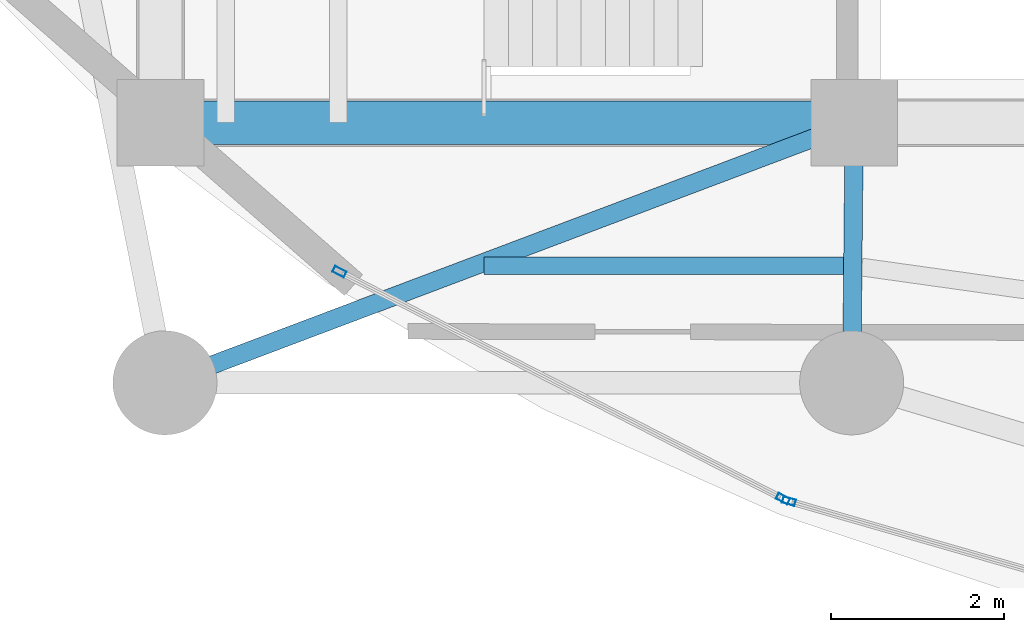
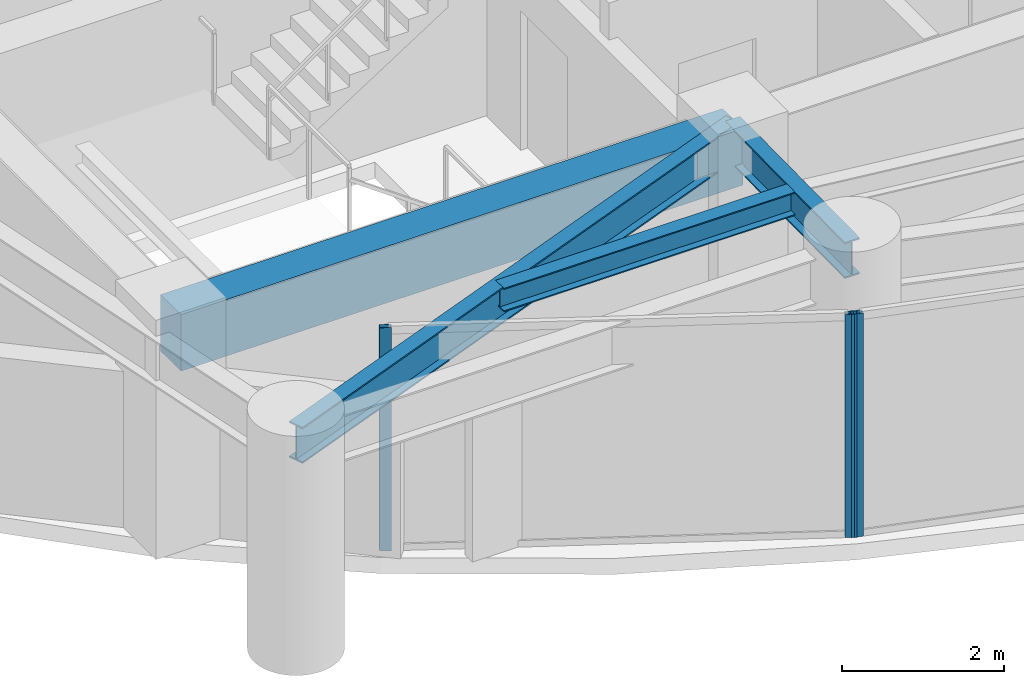
# One storey, part 2 of 30: 4 beams, 3 members, 2 elements without a shape of their own.
"""IFC4 building model written with IfcOpenShell, lengths in metres."""

from ifc_helpers import new_model, si_unit, direction, frame, origin, origin_2d, place, context, subcontext, project, spatial, rectangle, hollow_rectangle, i_section, extrude, material, layer, layer_set, material_profile, profile_set, type_object, element, aggregate, save


model = new_model("IFC4")

# Units and contexts
model_context = context("Model", 3, precision=1e-05, world=origin(), true_north=direction((0.0, 1.0)))
body_context = subcontext(model_context, "Body", "Model", "MODEL_VIEW")
ifc_project = project(units=[si_unit("LENGTHUNIT", "METRE"), si_unit("AREAUNIT", "SQUARE_METRE"), si_unit("VOLUMEUNIT", "CUBIC_METRE"), si_unit("PLANEANGLEUNIT", "RADIAN"), si_unit("MASSUNIT", "GRAM", prefix="KILO")], contexts=[model_context])

# Site, building, storey
site_placement = place(None, origin())
site = spatial("IfcSite", under=ifc_project, at=site_placement, CompositionType="ELEMENT")
building_placement = place(site_placement, origin())
building = spatial("IfcBuilding", under=site, at=building_placement, Name="Kazevale Care Tower and Concert Hall", CompositionType="ELEMENT")
storey_placement = place(building_placement, frame((0.0, 0.0, 131.39990234375)))
storey = spatial("IfcBuildingStorey", under=building, at=storey_placement, Name="L34", CompositionType="ELEMENT", Elevation=131.39990234375)

# Curtain wall, member
ifc_material_1 = material(Name="Aluminium 6063-T6 and Low-E Glass", Category="aluminium")
ifc_layer = layer(ifc_material_1, 0.179931640625)
ifc_layer_set = layer_set([ifc_layer], Name="Aluminium 6063-T6 and Low-E Glass")
curtain_wall_type = type_object("IfcCurtainWallType", Name="Sheltered Concave Balcony Curtain Wall CW-5", PredefinedType="NOTDEFINED", material=ifc_layer_set)
curtain_wall_1_placement = place(storey_placement, origin())
curtain_wall_1 = element("IfcCurtainWall", 1, at=curtain_wall_1_placement, inside=storey, type_object=curtain_wall_type, Name="cw:L34:f08", PredefinedType="NOTDEFINED")
ifc_material_2 = material(Name="Aluminium 6063-T6", Category="aluminium")
ifc_material_profile_1 = material_profile(ifc_material_2, hollow_rectangle(XDim=0.074951171875, YDim=0.14990234375, WallThickness=0.00390625, at=origin_2d()), Name="ALU75x150x4")
ifc_profile_set_1 = profile_set([ifc_material_profile_1], Name="Aluminium 6063-T6")
member_type = type_object("IfcMemberType", Name="CW-5 Mullion ALU75x150x4", PredefinedType="MULLION", material=ifc_profile_set_1)
member_1_placement = place(storey_placement, frame((29.2470703125, 19.234619140625, 0.0), z_axis=(0.0, 0.0, 1.0), x_axis=(-0.276290733172, -0.961074102639, 0.0)))
member_1 = element("IfcMember", 2, at=member_1_placement, type_object=member_type, Name="CW-5 mullion 2", PredefinedType="MULLION", context=body_context, shape_type="SweptSolid", body=[
    extrude(hollow_rectangle(XDim=0.074951171875, YDim=0.14990234375, WallThickness=0.00390625, at=origin_2d()), origin(), (0.0, 0.0, 1.0), 3.360107421875),
])
aggregate(curtain_wall_1, [member_1])

# Curtain wall, members
curtain_wall_2_placement = place(storey_placement, origin())
curtain_wall_2 = element("IfcCurtainWall", 3, at=curtain_wall_2_placement, inside=storey, type_object=curtain_wall_type, Name="cw:L34:f09", PredefinedType="NOTDEFINED")
member_2_placement = place(storey_placement, frame((29.177734375, 19.26220703125, 0.0), z_axis=(0.0, 0.0, 1.0), x_axis=(-0.455713236575, -0.890126646051, 0.0)))
member_2 = element("IfcMember", 4, at=member_2_placement, type_object=member_type, Name="CW-5 mullion 1", PredefinedType="MULLION", context=body_context, shape_type="SweptSolid", body=[
    extrude(hollow_rectangle(XDim=0.074951171875, YDim=0.14990234375, WallThickness=0.00390625, at=origin_2d()), origin(), (0.0, 0.0, 1.0), 3.360107421875),
])
member_3_placement = place(storey_placement, frame((24.0625, 21.880859375, 0.0), z_axis=(0.0, 0.0, 1.0), x_axis=(-0.455713236575, -0.890126646051, 0.0)))
member_3 = element("IfcMember", 5, at=member_3_placement, type_object=member_type, Name="CW-5 mullion 2", PredefinedType="MULLION", context=body_context, shape_type="SweptSolid", body=[
    extrude(hollow_rectangle(XDim=0.074951171875, YDim=0.14990234375, WallThickness=0.00390625, at=origin_2d()), origin(), (0.0, 0.0, 1.0), 3.360107421875),
])
aggregate(curtain_wall_2, [member_2, member_3])

# Beams
ifc_material_3 = material(Name="Concrete C60", Category="concrete")
ifc_material_profile_2 = material_profile(ifc_material_3, rectangle(XDim=0.5, YDim=0.85009765625, at=origin_2d()), Name="RC-B500x850")
ifc_profile_set_2 = profile_set([ifc_material_profile_2], Name="Concrete C60")
beam_type_1 = type_object("IfcBeamType", Name="Core Coupling Beam RC500x850", PredefinedType="LINTEL", material=ifc_profile_set_2)
beam_1_placement = place(storey_placement, frame((22.0, 23.60009765625, 2.93505859375), z_axis=(1.0, 0.0, 0.0), x_axis=(0.0, 1.0, 0.0)))
element("IfcBeam", 6, at=beam_1_placement, inside=storey, type_object=beam_type_1, Name="beam:L34:coretie:1", PredefinedType="LINTEL", context=body_context, shape_type="SweptSolid", body=[
    extrude(rectangle(XDim=0.5, YDim=0.85009765625, at=origin_2d()), origin(), (0.0, 0.0, 1.0), 8.0),
])
ifc_material_4 = material(Name="Steel ASTM A572 Gr 50", Category="steel")
ifc_material_profile_3 = material_profile(ifc_material_4, i_section(OverallWidth=0.2119140625, OverallDepth=0.5439453125, WebThickness=0.01318359375, FlangeThickness=0.021240234375, at=origin_2d()), Name="W530x123")
ifc_profile_set_3 = profile_set([ifc_material_profile_3], Name="Steel ASTM A572 Gr 50")
beam_type_2 = type_object("IfcBeamType", Name="Radial Floor Girder W530x123", PredefinedType="BEAM", material=ifc_profile_set_3)
beam_2_placement = place(storey_placement, frame((30.0, 23.60009765625, 3.088134765625), z_axis=(-0.935601002663, -0.353059150592, 0.0), x_axis=(0.353059150592, -0.935601002663, 0.0)))
element("IfcBeam", 7, at=beam_2_placement, inside=storey, type_object=beam_type_2, Name="beam:L34:rad:10", PredefinedType="BEAM", context=body_context, shape_type="SweptSolid", body=[
    extrude(i_section(OverallWidth=0.2119140625, OverallDepth=0.5439453125, WebThickness=0.01318359375, FlangeThickness=0.021240234375, at=origin_2d()), origin(), (0.0, 0.0, 1.0), 8.4970703125),
])
beam_3_placement = place(storey_placement, frame((30.0, 23.60009765625, 3.088134765625), z_axis=(-0.010009264196, -0.99994990606, 0.0), x_axis=(0.99994990606, -0.010009264196, 0.0)))
element("IfcBeam", 8, at=beam_3_placement, inside=storey, type_object=beam_type_2, Name="beam:L34:rad:11", PredefinedType="BEAM", context=body_context, shape_type="SweptSolid", body=[
    extrude(i_section(OverallWidth=0.2119140625, OverallDepth=0.5439453125, WebThickness=0.01318359375, FlangeThickness=0.021240234375, at=origin_2d()), origin(), (0.0, 0.0, 1.0), 3.000244140625),
])
ifc_material_profile_4 = material_profile(ifc_material_4, i_section(OverallWidth=0.205078125, OverallDepth=0.35400390625, WebThickness=0.009521484375, FlangeThickness=0.016845703125, at=origin_2d()), Name="W360x79")
ifc_profile_set_4 = profile_set([ifc_material_profile_4], Name="Steel ASTM A572 Gr 50")
beam_type_3 = type_object("IfcBeamType", Name="Secondary Floor Joist W360x79", PredefinedType="JOIST", material=ifc_profile_set_4)
beam_4_placement = place(storey_placement, frame((25.73291015625, 21.949951171875, 3.18310546875), z_axis=(1.0, 0.0, 0.0), x_axis=(0.0, 1.0, 0.0)))
element("IfcBeam", 9, at=beam_4_placement, inside=storey, type_object=beam_type_3, Name="beam:L34:joist:10", PredefinedType="JOIST", context=body_context, shape_type="SweptSolid", body=[
    extrude(i_section(OverallWidth=0.205078125, OverallDepth=0.35400390625, WebThickness=0.009521484375, FlangeThickness=0.016845703125, at=origin_2d()), origin(), (0.0, 0.0, 1.0), 4.14501953125),
])

save(model, "model.ifc")
